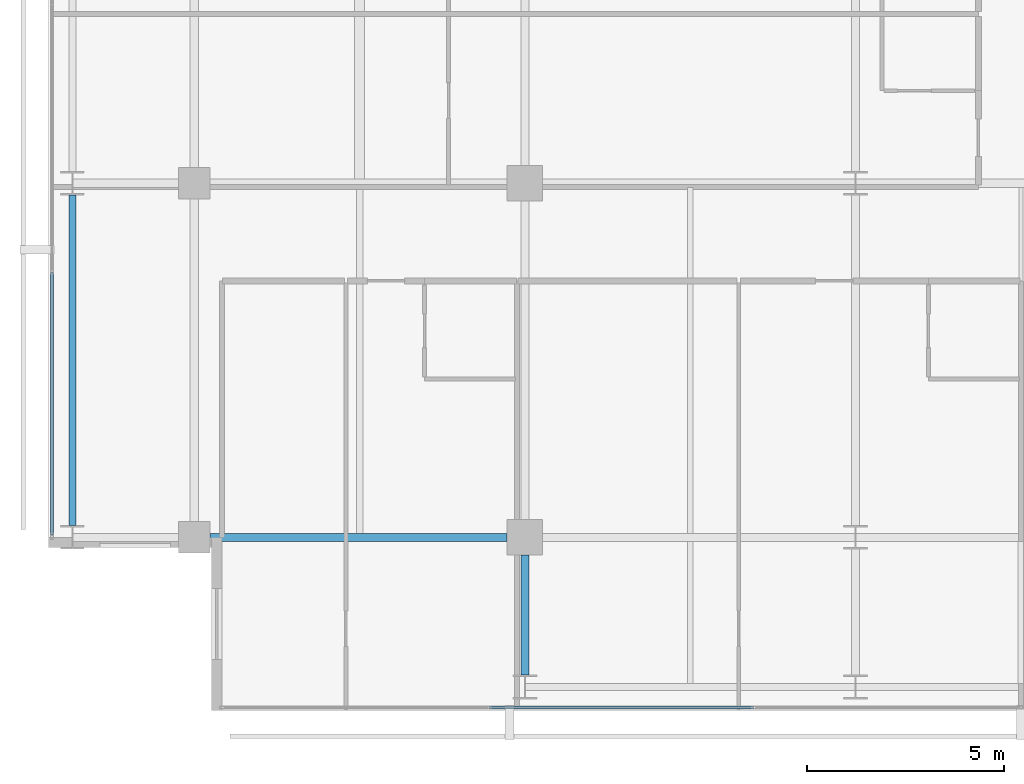
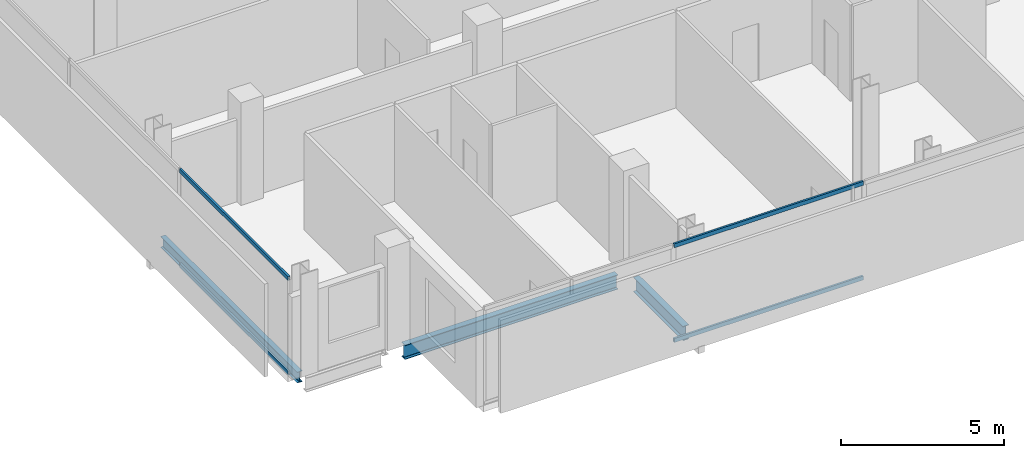
# One storey, part 3 of 34: 4 members, 3 beams, 2 elements without a shape of their own.
"""IFC4 building model written with IfcOpenShell, lengths in metres."""

from ifc_helpers import new_model, si_unit, direction, frame, origin, origin_2d, place, context, subcontext, project, spatial, hollow_rectangle, i_section, extrude, material, layer, layer_set, material_profile, profile_set, type_object, element, aggregate, save


model = new_model("IFC4")

# Units and contexts
model_context = context("Model", 3, precision=1e-05, world=origin(), true_north=direction((0.0, 1.0)))
body_context = subcontext(model_context, "Body", "Model", "MODEL_VIEW")
ifc_project = project(units=[si_unit("LENGTHUNIT", "METRE"), si_unit("AREAUNIT", "SQUARE_METRE"), si_unit("VOLUMEUNIT", "CUBIC_METRE"), si_unit("PLANEANGLEUNIT", "RADIAN"), si_unit("MASSUNIT", "GRAM", prefix="KILO")], contexts=[model_context])

# Site, building, storey
site_placement = place(None, origin())
site = spatial("IfcSite", under=ifc_project, at=site_placement, CompositionType="ELEMENT")
building_placement = place(site_placement, origin())
building = spatial("IfcBuilding", under=site, at=building_placement, Name="Maruvema Waterfront Hotel and Observation Tower", CompositionType="ELEMENT")
storey_placement = place(building_placement, frame((0.0, 0.0, 208.25)))
storey = spatial("IfcBuildingStorey", under=building, at=storey_placement, Name="L51", CompositionType="ELEMENT", Elevation=208.25)

# Curtain wall, members
ifc_material_1 = material(Name="Anodised bronze aluminium and solar-control low-E IGU", Category="aluminium")
ifc_layer = layer(ifc_material_1, 0.159912109375, Name="Zone 2 Amber Inner Thermal Curtain Wall System CW-03")
ifc_layer_set = layer_set([ifc_layer], Name="Anodised bronze aluminium and solar-control low-E IGU")
curtain_wall_type = type_object("IfcCurtainWallType", Name="Zone 2 Amber Inner Thermal Curtain Wall System CW-03", PredefinedType="USERDEFINED", material=ifc_layer_set)
curtain_wall_1_placement = place(storey_placement, origin())
curtain_wall_1 = element("IfcCurtainWall", 1, at=curtain_wall_1_placement, inside=storey, type_object=curtain_wall_type, Name="L51 Curtain Wall CW-L51-S", ObjectType="UNITISED CURTAIN WALL", PredefinedType="USERDEFINED")
ifc_material_2 = material(Name="Anodised architectural bronze aluminium", Category="aluminium")
ifc_material_profile_1 = material_profile(ifc_material_2, hollow_rectangle(XDim=0.070068359375, YDim=0.14990234375, WallThickness=0.00390625, at=origin_2d()), Name="ALU-T70x150")
ifc_profile_set_1 = profile_set([ifc_material_profile_1], Name="Anodised architectural bronze aluminium")
member_type = type_object("IfcMemberType", Name="Curtain Wall Horizontal Transom ALU-T70x150", PredefinedType="USERDEFINED", material=ifc_profile_set_1)
member_1_placement = place(storey_placement, frame((24.296630859375, 4.679931640625, 0.030029296875), z_axis=(1.0, 0.0, 0.0), x_axis=(0.0, 1.0, 0.0)))
member_1 = element("IfcMember", 2, at=member_1_placement, type_object=member_type, Name="CW-03 transom 2.1", ObjectType="TRANSOM", PredefinedType="USERDEFINED", context=body_context, shape_type="SweptSolid", body=[
    extrude(hollow_rectangle(XDim=0.070068359375, YDim=0.14990234375, WallThickness=0.00390625, at=origin_2d()), origin(), (0.0, 0.0, 1.0), 6.706787109375),
])
member_2_placement = place(storey_placement, frame((24.296630859375, 4.679931640625, 3.580078125), z_axis=(1.0, 0.0, 0.0), x_axis=(0.0, 1.0, 0.0)))
member_2 = element("IfcMember", 3, at=member_2_placement, type_object=member_type, Name="CW-03 transom 2.2", ObjectType="TRANSOM", PredefinedType="USERDEFINED", context=body_context, shape_type="SweptSolid", body=[
    extrude(hollow_rectangle(XDim=0.070068359375, YDim=0.14990234375, WallThickness=0.00390625, at=origin_2d()), origin(), (0.0, 0.0, 1.0), 6.706787109375),
])
aggregate(curtain_wall_1, [member_1, member_2])

curtain_wall_2_placement = place(storey_placement, origin())
curtain_wall_2 = element("IfcCurtainWall", 4, at=curtain_wall_2_placement, inside=storey, type_object=curtain_wall_type, Name="L51 Curtain Wall CW-L51-W", ObjectType="UNITISED CURTAIN WALL", PredefinedType="USERDEFINED")
member_3_placement = place(storey_placement, frame((13.179931640625, 15.736572265625, 0.030029296875), z_axis=(0.0, -1.0, 0.0), x_axis=(1.0, 0.0, 0.0)))
member_3 = element("IfcMember", 5, at=member_3_placement, type_object=member_type, Name="CW-03 transom 6.1", ObjectType="TRANSOM", PredefinedType="USERDEFINED", context=body_context, shape_type="SweptSolid", body=[
    extrude(hollow_rectangle(XDim=0.070068359375, YDim=0.14990234375, WallThickness=0.00390625, at=origin_2d()), origin(), (0.0, 0.0, 1.0), 6.676513671875),
])
member_4_placement = place(storey_placement, frame((13.179931640625, 15.736572265625, 3.580078125), z_axis=(0.0, -1.0, 0.0), x_axis=(1.0, 0.0, 0.0)))
member_4 = element("IfcMember", 6, at=member_4_placement, type_object=member_type, Name="CW-03 transom 6.2", ObjectType="TRANSOM", PredefinedType="USERDEFINED", context=body_context, shape_type="SweptSolid", body=[
    extrude(hollow_rectangle(XDim=0.070068359375, YDim=0.14990234375, WallThickness=0.00390625, at=origin_2d()), origin(), (0.0, 0.0, 1.0), 6.676513671875),
])
aggregate(curtain_wall_2, [member_3, member_4])

# Beams
ifc_material_3 = material(Name="Steel ASTM A572 Grade 50", Category="steel")
ifc_material_profile_2 = material_profile(ifc_material_3, i_section(OverallWidth=0.178955078125, OverallDepth=0.409912109375, WebThickness=0.0087890625, FlangeThickness=0.014404296875, FilletRadius=0.014892578125, at=origin_2d()), Name="W410x67.0")
ifc_profile_set_2 = profile_set([ifc_material_profile_2], Name="Steel ASTM A572 Grade 50")
beam_type_1 = type_object("IfcBeamType", Name="Perimeter Spandrel Beam W410x67.0", PredefinedType="SPANDREL", material=ifc_profile_set_2)
beam_1_placement = place(storey_placement, frame((13.699951171875, 9.300048828125, -0.445068359375), z_axis=(0.0, 1.0, 0.0), x_axis=(-1.0, 0.0, 0.0)))
element("IfcBeam", 7, at=beam_1_placement, inside=storey, type_object=beam_type_1, Name="L51 Floor Girder NS-01", PredefinedType="SPANDREL", context=body_context, shape_type="SweptSolid", body=[
    extrude(i_section(OverallWidth=0.178955078125, OverallDepth=0.409912109375, WebThickness=0.0087890625, FlangeThickness=0.014404296875, FilletRadius=0.014892578125, at=origin_2d()), origin(), (0.0, 0.0, 1.0), 8.39990234375),
])
ifc_material_4 = material(Name="Steel ASTM A572 Grade 50", Category="steel")
ifc_material_profile_3 = material_profile(ifc_material_4, i_section(OverallWidth=0.2109375, OverallDepth=0.5390625, WebThickness=0.01171875, FlangeThickness=0.018798828125, FilletRadius=0.014892578125, at=origin_2d()), Name="W530x109.0")
ifc_profile_set_3 = profile_set([ifc_material_profile_3], Name="Steel ASTM A572 Grade 50")
beam_type_2 = type_object("IfcBeamType", Name="Primary Floor Girder W530x109.0", PredefinedType="BEAM", material=ifc_profile_set_3)
beam_2_placement = place(storey_placement, frame((17.199951171875, 9.0, -0.509521484375), z_axis=(1.0, 0.0, 0.0), x_axis=(0.0, 1.0, 0.0)))
element("IfcBeam", 8, at=beam_2_placement, inside=storey, type_object=beam_type_2, Name="L51 Floor Girder EW-05", PredefinedType="BEAM", context=body_context, shape_type="SweptSolid", body=[
    extrude(i_section(OverallWidth=0.2109375, OverallDepth=0.5390625, WebThickness=0.01171875, FlangeThickness=0.018798828125, FilletRadius=0.014892578125, at=origin_2d()), origin(), (0.0, 0.0, 1.0), 7.550048828125),
])
beam_3_placement = place(storey_placement, frame((25.199951171875, 5.5, -0.509521484375), z_axis=(0.0, 1.0, 0.0), x_axis=(-1.0, 0.0, 0.0)))
element("IfcBeam", 9, at=beam_3_placement, inside=storey, type_object=beam_type_2, Name="L51 Floor Girder NS-09", PredefinedType="BEAM", context=body_context, shape_type="SweptSolid", body=[
    extrude(i_section(OverallWidth=0.2109375, OverallDepth=0.5390625, WebThickness=0.01171875, FlangeThickness=0.018798828125, FilletRadius=0.014892578125, at=origin_2d()), origin(), (0.0, 0.0, 1.0), 3.050048828125),
])

save(model, "model.ifc")
